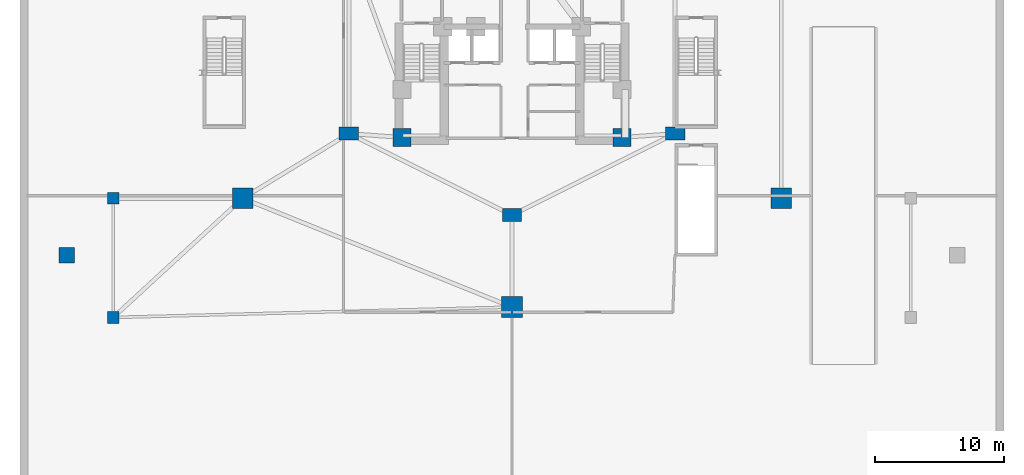
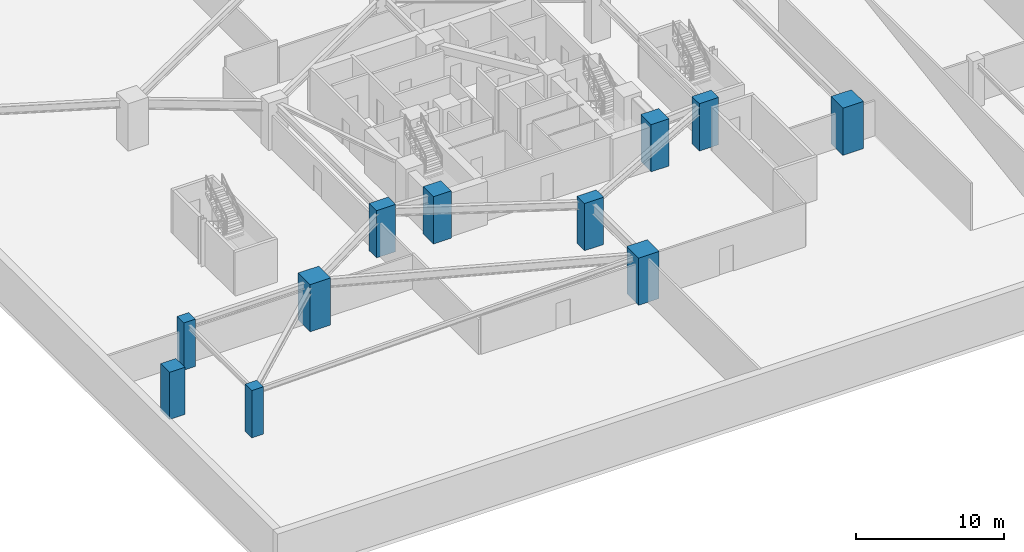
# One storey, part 1 of 10: 11 columns.
"""IFC4 building model written with IfcOpenShell, lengths in metres."""

import ifcopenshell
import ifcopenshell.guid

model = None  # the IFC model being written
_history = None  # IfcOwnerHistory: only IFC2X3 demands one
_inside = {}  # id of a spatial element -> (the spatial element, [elements in it])
_under = {}  # id of a project, library or spatial element -> (it, [spatial elements below it])
_declared = {}  # id of a project -> (the project, [libraries it declares])
_typed = {}  # id of a type object -> (the type object, [elements of that type])
_made_of = {}  # id of a material, layer set ... -> (it, [elements and type objects made of it])


def new_model(schema):
    """Start an empty IFC model of exactly this schema.

    Asked for "IFC4X3", IfcOpenShell would pick the latest addendum, in which some entities
    have other attributes; the version numbers below select the first issue.
    IFC2X3 requires an IfcOwnerHistory on every rooted entity: one is made here for all.
    """
    global model, _history
    if schema == "IFC4X3":
        model = ifcopenshell.file(schema_version=(4, 3, 0, 0))
    else:
        model = ifcopenshell.file(schema=schema)
    _inside.clear()
    _under.clear()
    _declared.clear()
    _typed.clear()
    _made_of.clear()
    _history = None
    if model.schema == "IFC2X3":
        org = make("IfcOrganization", Name="unknown")
        user = make(
            "IfcPersonAndOrganization",
            ThePerson=make("IfcPerson", FamilyName="unknown"),
            TheOrganization=org,
        )
        app = make(
            "IfcApplication",
            ApplicationDeveloper=org,
            Version="unknown",
            ApplicationFullName="unknown",
            ApplicationIdentifier="unknown",
        )
        _history = make(
            "IfcOwnerHistory",
            OwningUser=user,
            OwningApplication=app,
            ChangeAction="ADDED",
            CreationDate=0,
        )
    return model


def make(cls, **values):
    """One entity of the class cls with the attributes given. An attribute that is None is left unset."""
    return model.create_entity(
        cls, **{name: value for name, value in values.items() if value is not None}
    )


def rooted(cls, **values):
    """An entity with a GlobalId (a new one), such as an element, a storey or a relation."""
    return make(cls, GlobalId=ifcopenshell.guid.new(), OwnerHistory=_history, **values)


def si_unit(unit_type, name, prefix=None):
    """IfcSIUnit, for example si_unit("LENGTHUNIT", "METRE", prefix="MILLI")."""
    return make("IfcSIUnit", UnitType=unit_type, Prefix=prefix, Name=name)


def assignment(units):
    """IfcUnitAssignment: the units of a project."""
    return None if units is None else make("IfcUnitAssignment", Units=units)


def point(xyz):
    """IfcCartesianPoint."""
    return None if xyz is None else make("IfcCartesianPoint", Coordinates=xyz)


def direction(xyz):
    """IfcDirection."""
    return None if xyz is None else make("IfcDirection", DirectionRatios=xyz)


def frame(location, z_axis=None, x_axis=None):
    """IfcAxis2Placement3D, a coordinate frame: its origin and axes. An axis left out is left unset."""
    return make(
        "IfcAxis2Placement3D",
        Location=point(location),
        Axis=direction(z_axis),
        RefDirection=direction(x_axis),
    )


def frame_2d(location, x_axis=None):
    """IfcAxis2Placement2D, a coordinate frame in the plane: its origin and x axis."""
    return make(
        "IfcAxis2Placement2D", Location=point(location), RefDirection=direction(x_axis)
    )


def origin():
    """The frame at (0, 0, 0) with its axes left unset."""
    return frame((0.0, 0.0, 0.0))


def origin_2d():
    """The frame at (0, 0) in the plane with its x axis left unset."""
    return frame_2d((0.0, 0.0))


def place(relative_to, where):
    """IfcLocalPlacement: puts the frame where relative to a parent placement (None: the world)."""
    return make(
        "IfcLocalPlacement", PlacementRelTo=relative_to, RelativePlacement=where
    )


def context(
    kind, dimensions, precision=None, world=None, true_north=None, identifier=None
):
    """IfcGeometricRepresentationContext, for example the 3D "Model" context."""
    return make(
        "IfcGeometricRepresentationContext",
        ContextIdentifier=identifier,
        ContextType=kind,
        CoordinateSpaceDimension=dimensions,
        Precision=precision,
        WorldCoordinateSystem=world,
        TrueNorth=true_north,
    )


def subcontext(parent, identifier, kind, view, scale=None):
    """IfcGeometricRepresentationSubContext, for example "Body" below "Model"."""
    return make(
        "IfcGeometricRepresentationSubContext",
        ContextIdentifier=identifier,
        ContextType=kind,
        ParentContext=parent,
        TargetScale=scale,
        TargetView=view,
    )


def project(units=None, contexts=None):
    """IfcProject with its units and contexts."""
    return rooted(
        "IfcProject",
        Name="project",
        RepresentationContexts=contexts,
        UnitsInContext=assignment(units),
    )


def spatial(cls, under=None, at=None, **own):
    """A site, building, storey or space (cls), placed at a placement, below another one or the project."""
    s = rooted(cls, ObjectPlacement=at, **own)
    if under is not None:
        _under.setdefault(under.id(), (under, []))[1].append(s)
    return s


def profile(cls, at=None, kind="AREA", **sizes):
    """A parametric profile (cls). Its sizes go by their IFC names, for example OverallWidth=200.0."""
    return make(cls, ProfileType=kind, Position=at, **sizes)


def rectangle(**sizes):
    """IfcRectangleProfileDef."""
    return profile("IfcRectangleProfileDef", **sizes)


def extrude(swept, where, along, depth):
    """IfcExtrudedAreaSolid: the profile swept, set in the frame where, extruded along a direction by depth."""
    return make(
        "IfcExtrudedAreaSolid",
        SweptArea=swept,
        Position=where,
        ExtrudedDirection=direction(along),
        Depth=depth,
    )


def shape(context_of_items, identifier, shape_type, items):
    """IfcShapeRepresentation: the items that make up one representation, for example the "Body"."""
    return make(
        "IfcShapeRepresentation",
        ContextOfItems=context_of_items,
        RepresentationIdentifier=identifier,
        RepresentationType=shape_type,
        Items=items,
    )


def material(Name=None, Category=None):
    """IfcMaterial."""
    return make("IfcMaterial", Name=Name, Category=Category)


def material_profile(
    of_material, cross_section, Name=None, Category=None, Priority=None
):
    """IfcMaterialProfile: a cross section and its material."""
    return make(
        "IfcMaterialProfile",
        Name=Name,
        Material=of_material,
        Profile=cross_section,
        Priority=Priority,
        Category=Category,
    )


def profile_set(profiles, Name=None, composite=None):
    """IfcMaterialProfileSet."""
    return make(
        "IfcMaterialProfileSet",
        Name=Name,
        MaterialProfiles=profiles,
        CompositeProfile=composite,
    )


def made_of(thing, what):
    """Note that an element or type object is made of a material, layer set ...; save() writes the relation."""
    if what is not None:
        _made_of.setdefault(what.id(), (what, []))[1].append(thing)
    return thing


def type_object(cls, material=None, **own):
    """A type object (cls), such as IfcWallType, which elements share."""
    return made_of(rooted(cls, **own), material)


def element(
    cls,
    number,
    at=None,
    inside=None,
    cuts=None,
    type_object=None,
    material=None,
    context=None,
    identifier="Body",
    shape_type=None,
    held_by="IfcProductDefinitionShape",
    body=None,
    shapes=None,
    **own,
):
    """One element of the class cls, such as IfcWall. Its Tag is "e" and its number.

    at: its placement. inside: the storey or other place that contains it. cuts: it is an
    opening in that element (IfcRelVoidsElement). A single representation is given by context,
    identifier, shape_type and body (its items); several are given by shapes. held_by: the class
    of the entity that holds the representations. save() writes the other relations.
    """
    e = rooted(cls, Tag="e%d" % number, ObjectPlacement=at, **own)
    if body is not None:
        shapes = [shape(context, identifier, shape_type, body)]
    if shapes is not None:
        e.Representation = make(held_by, Representations=shapes)
    if inside is not None:
        _inside.setdefault(inside.id(), (inside, []))[1].append(e)
    if cuts is not None:
        rooted(
            "IfcRelVoidsElement", RelatingBuildingElement=cuts, RelatedOpeningElement=e
        )
    if type_object is not None:
        _typed.setdefault(type_object.id(), (type_object, []))[1].append(e)
    return made_of(e, material)


def aggregate(whole, parts):
    """IfcRelAggregates: a whole, such as a stair, and the parts it consists of."""
    return rooted("IfcRelAggregates", RelatingObject=whole, RelatedObjects=parts)


def save(model, path):
    """Write the relations noted so far, then the file.

    IfcRelAggregates (storeys below a building ...), IfcRelContainedInSpatialStructure (elements
    in a storey), IfcRelDefinesByType, IfcRelAssociatesMaterial and IfcRelDeclares: one each for
    every whole, place, type object, material and project.
    """
    for whole, parts in _under.values():
        aggregate(whole, parts)
    for where, things in _inside.values():
        rooted(
            "IfcRelContainedInSpatialStructure",
            RelatedElements=things,
            RelatingStructure=where,
        )
    for kind, things in _typed.values():
        rooted("IfcRelDefinesByType", RelatedObjects=things, RelatingType=kind)
    for what, things in _made_of.values():
        rooted("IfcRelAssociatesMaterial", RelatedObjects=things, RelatingMaterial=what)
    for by, libraries in _declared.values():
        rooted("IfcRelDeclares", RelatingContext=by, RelatedDefinitions=libraries)
    model.write(path)


model = new_model("IFC4")

# Units and contexts
model_context = context("Model", 3, precision=1e-05, world=origin(), true_north=direction((0.0, 1.0)))
body_context = subcontext(model_context, "Body", "Model", "MODEL_VIEW")
ifc_project = project(units=[si_unit("LENGTHUNIT", "METRE"), si_unit("AREAUNIT", "SQUARE_METRE"), si_unit("VOLUMEUNIT", "CUBIC_METRE"), si_unit("PLANEANGLEUNIT", "RADIAN"), si_unit("MASSUNIT", "GRAM", prefix="KILO")], contexts=[model_context])

# Site, building, storey
site_placement = place(None, origin())
site = spatial("IfcSite", under=ifc_project, at=site_placement, CompositionType="ELEMENT")
building_placement = place(site_placement, origin())
building = spatial("IfcBuilding", under=site, at=building_placement, Name="Miruveldt Soraemaru", CompositionType="ELEMENT")
storey_placement = place(building_placement, frame((0.0, 0.0, -3.89990234375)))
storey = spatial("IfcBuildingStorey", under=building, at=storey_placement, Name="B1", CompositionType="ELEMENT", Elevation=-3.89990234375)

# Columns
ifc_material_1 = material(Name="Concrete C70/85 (70 MPa)", Category="concrete")
ifc_material_profile_1 = material_profile(ifc_material_1, rectangle(XDim=1.199951171875, YDim=1.199951171875, at=origin_2d()), Name="Concrete C70/85 (70 MPa)", Category="concrete")
ifc_profile_set_1 = profile_set([ifc_material_profile_1], Name="Concrete C70/85 (70 MPa)")
column_type_1 = type_object("IfcColumnType", Name="COL-CORE-1200", PredefinedType="COLUMN", material=ifc_profile_set_1)
column_placement = place(storey_placement, frame((9.60009765625, 26.39990234375, 0.0), z_axis=(0.0, 0.0, 1.0), x_axis=(1.0, 0.0, 0.0)))
element("IfcColumn", 1, at=column_placement, inside=storey, type_object=column_type_1, Name="B1 Structural Column BC1", PredefinedType="COLUMN", context=body_context, shape_type="SweptSolid", body=[
    extrude(rectangle(XDim=1.199951171875, YDim=1.199951171875, at=origin_2d()), origin(), (0.0, 0.0, 1.0), 3.89990234375),
])
ifc_material_2 = material(Name="Concrete C50/60 (50 MPa)", Category="concrete")
ifc_material_profile_2 = material_profile(ifc_material_2, rectangle(XDim=0.89990234375, YDim=0.89990234375, at=origin_2d()), Name="Concrete C50/60 (50 MPa)", Category="concrete")
ifc_profile_set_2 = profile_set([ifc_material_profile_2], Name="Concrete C50/60 (50 MPa)")
column_type_2 = type_object("IfcColumnType", Name="COL-CORE-900", PredefinedType="COLUMN", material=ifc_profile_set_2)
for number, where, z_axis, x_axis, name in (
    (2, (13.199951171875, 21.60009765625, 0.0), (0.0, 0.0, 1.0), (1.0, 0.0, 0.0), "B1 Structural Column PF01"),
    (3, (13.199951171875, 30.800048828125, 0.0), (0.0, 0.0, 1.0), (1.0, 0.0, 0.0), "B1 Structural Column PF02"),
):
    element("IfcColumn", number, at=place(storey_placement, frame(where, z_axis=z_axis, x_axis=x_axis)), inside=storey, type_object=column_type_2, Name=name, PredefinedType="COLUMN", context=body_context, shape_type="SweptSolid", body=[
        extrude(rectangle(XDim=0.89990234375, YDim=0.89990234375, at=origin_2d()), origin(), (0.0, 0.0, 1.0), 3.89990234375),
    ])
ifc_material_3 = material(Name="Concrete C80/95 (80 MPa)", Category="concrete")
ifc_material_profile_3 = material_profile(ifc_material_3, rectangle(XDim=1.39990234375, YDim=1.39990234375, at=origin_2d()), Name="Concrete C80/95 (80 MPa)", Category="concrete")
ifc_profile_set_3 = profile_set([ifc_material_profile_3], Name="Concrete C80/95 (80 MPa)")
column_type_3 = type_object("IfcColumnType", Name="COL-MEGA-1400", PredefinedType="COLUMN", material=ifc_profile_set_3)
for number, where, z_axis, x_axis, name in (
    (4, (35.5, 35.5, 0.0), (0.0, 0.0, 1.0), (1.0, 0.0, 0.0), "B1 Structural Column CC1"),
    (5, (52.5, 35.5, 0.0), (0.0, 0.0, 1.0), (1.0, 0.0, 0.0), "B1 Structural Column CC3"),
):
    element("IfcColumn", number, at=place(storey_placement, frame(where, z_axis=z_axis, x_axis=x_axis)), inside=storey, type_object=column_type_3, Name=name, PredefinedType="COLUMN", context=body_context, shape_type="SweptSolid", body=[
        extrude(rectangle(XDim=1.39990234375, YDim=1.39990234375, at=origin_2d()), origin(), (0.0, 0.0, 1.0), 3.89990234375),
    ])
ifc_material_profile_4 = material_profile(ifc_material_3, rectangle(XDim=1.60009765625, YDim=1.60009765625, at=origin_2d()), Name="Concrete C80/95 (80 MPa)", Category="concrete")
ifc_profile_set_4 = profile_set([ifc_material_profile_4], Name="Concrete C80/95 (80 MPa)")
column_type_4 = type_object("IfcColumnType", Name="COL-MEGA-1600", PredefinedType="COLUMN", material=ifc_profile_set_4)
for number, where, z_axis, x_axis, name in (
    (6, (64.800048828125, 30.800048828125, 0.0), (0.0, 0.0, 1.0), (1.0, 0.0, 0.0), "B1 Structural Column PM03"),
    (7, (44.0, 22.39990234375, 0.0), (0.0, 0.0, 1.0), (1.0, 0.0, 0.0), "B1 Structural Column PM04"),
    (8, (23.199951171875, 30.800048828125, 0.0), (0.0, 0.0, 1.0), (1.0, 0.0, 0.0), "B1 Structural Column PM05"),
):
    element("IfcColumn", number, at=place(storey_placement, frame(where, z_axis=z_axis, x_axis=x_axis)), inside=storey, type_object=column_type_4, Name=name, PredefinedType="COLUMN", context=body_context, shape_type="SweptSolid", body=[
        extrude(rectangle(XDim=1.60009765625, YDim=1.60009765625, at=origin_2d()), origin(), (0.0, 0.0, 1.0), 3.89990234375),
    ])
ifc_material_profile_5 = material_profile(ifc_material_3, rectangle(XDim=1.5, YDim=1.0, at=origin_2d()), Name="Concrete C80/95 (80 MPa)", Category="concrete")
ifc_profile_set_5 = profile_set([ifc_material_profile_5], Name="Concrete C80/95 (80 MPa)")
column_type_5 = type_object("IfcColumnType", Name="COL-TW-Z1A", PredefinedType="COLUMN", material=ifc_profile_set_5)
for number, where, z_axis, x_axis, name in (
    (9, (56.60009765625, 35.800048828125, 0.0), (0.0, 0.0, 1.0), (1.0, 0.0, 0.0), "B1 Structural Column IR03"),
    (10, (44.0, 29.5, 0.0), (0.0, 0.0, 1.0), (1.0, 0.0, 0.0), "B1 Structural Column IR04"),
    (11, (31.39990234375, 35.800048828125, 0.0), (0.0, 0.0, 1.0), (1.0, 0.0, 0.0), "B1 Structural Column IR05"),
):
    element("IfcColumn", number, at=place(storey_placement, frame(where, z_axis=z_axis, x_axis=x_axis)), inside=storey, type_object=column_type_5, Name=name, PredefinedType="COLUMN", context=body_context, shape_type="SweptSolid", body=[
        extrude(rectangle(XDim=1.5, YDim=1.0, at=origin_2d()), origin(), (0.0, 0.0, 1.0), 3.89990234375),
    ])

save(model, "model.ifc")
